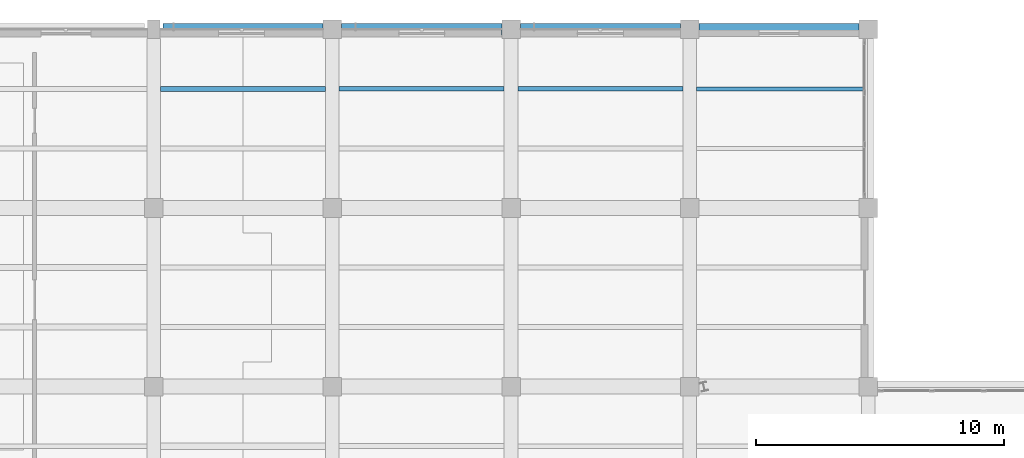
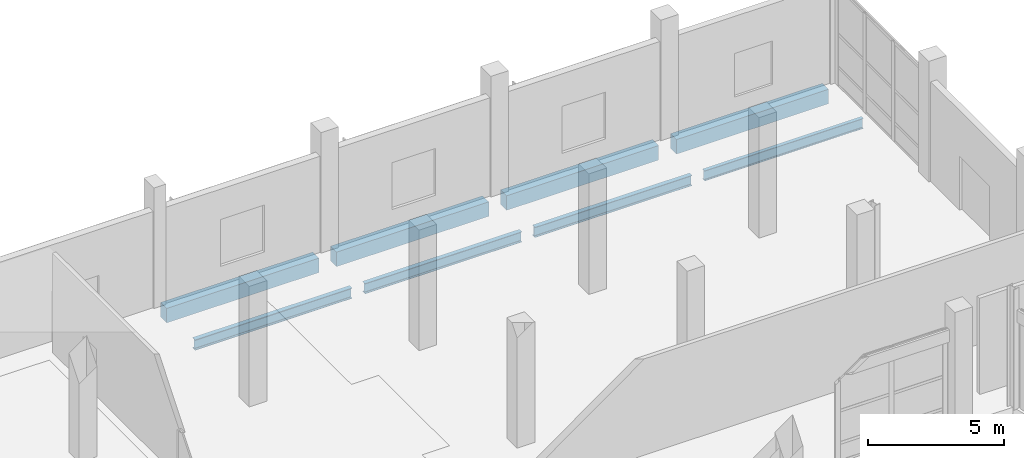
# One storey, part 61 of 137: 8 beams.
"""IFC4 building model written with IfcOpenShell, lengths in metres."""

from ifc_helpers import new_model, si_unit, direction, frame, origin, origin_2d, place, context, subcontext, project, spatial, rectangle, i_section, extrude, material, material_profile, profile_set, type_object, element, save


model = new_model("IFC4")

# Units and contexts
model_context = context("Model", 3, precision=1e-05, world=origin(), true_north=direction((0.0, 1.0)))
body_context = subcontext(model_context, "Body", "Model", "MODEL_VIEW")
ifc_project = project(units=[si_unit("LENGTHUNIT", "METRE"), si_unit("AREAUNIT", "SQUARE_METRE"), si_unit("VOLUMEUNIT", "CUBIC_METRE"), si_unit("PLANEANGLEUNIT", "RADIAN"), si_unit("MASSUNIT", "GRAM", prefix="KILO")], contexts=[model_context])

# Site, building, storey
site_placement = place(None, origin())
site = spatial("IfcSite", under=ifc_project, at=site_placement, CompositionType="ELEMENT")
building_placement = place(site_placement, origin())
building = spatial("IfcBuilding", under=site, at=building_placement, Name="Kalmorath City Hall", CompositionType="ELEMENT")
storey_placement = place(building_placement, origin())
storey = spatial("IfcBuildingStorey", under=building, at=storey_placement, Name="L00", CompositionType="ELEMENT", Elevation=0.0)

# Beams
ifc_material_1 = material(Name="Concrete C40/50", Category="concrete")
ifc_material_profile_1 = material_profile(ifc_material_1, rectangle(XDim=0.449951171875, YDim=0.64990234375, at=origin_2d()), Name="RC-BM-450X650")
ifc_profile_set_1 = profile_set([ifc_material_profile_1], Name="Concrete C40/50")
beam_type_1 = type_object("IfcBeamType", Name="Concrete spandrel beam 450x650", PredefinedType="SPANDREL", material=ifc_profile_set_1)
for number, where, z_axis, x_axis, name in (
    (1, (101.175048828125, 115.199951171875, -0.62890625), (1.0, 0.0, 0.0), (0.0, 1.0, 0.0), "L00 girder CB5 X15-16/17"),
    (2, (108.375, 115.199951171875, -0.62890625), (1.0, 0.0, 0.0), (0.0, 1.0, 0.0), "L00 girder CB5 X16-17/17"),
    (3, (115.574951171875, 115.199951171875, -0.62890625), (1.0, 0.0, 0.0), (0.0, 1.0, 0.0), "L00 girder CB5 X17-18/17"),
):
    element("IfcBeam", number, at=place(storey_placement, frame(where, z_axis=z_axis, x_axis=x_axis)), inside=storey, type_object=beam_type_1, Name=name, PredefinedType="SPANDREL", context=body_context, shape_type="SweptSolid", body=[
        extrude(rectangle(XDim=0.449951171875, YDim=0.64990234375, at=origin_2d()), origin(), (0.0, 0.0, 1.0), 6.449951171875),
    ])
beam_1_placement = place(storey_placement, frame((122.77490234375, 115.199951171875, -0.62890625), z_axis=(1.0, 0.0, 0.0), x_axis=(0.0, 1.0, 0.0)))
element("IfcBeam", 4, at=beam_1_placement, inside=storey, type_object=beam_type_1, Name="L00 girder CB5 X18-19/17", PredefinedType="SPANDREL", context=body_context, shape_type="SweptSolid", body=[
    extrude(rectangle(XDim=0.449951171875, YDim=0.64990234375, at=origin_2d()), origin(), (0.0, 0.0, 1.0), 6.4501953125),
])
ifc_material_2 = material(Name="Steel ASTM A992 Grade 50", Category="steel")
ifc_material_profile_2 = material_profile(ifc_material_2, i_section(OverallWidth=0.153076171875, OverallDepth=0.455078125, WebThickness=0.008056640625, FlangeThickness=0.01318359375, FilletRadius=0.013916015625, at=origin_2d()), Name="W18X40")
ifc_profile_set_2 = profile_set([ifc_material_profile_2], Name="Steel ASTM A992 Grade 50")
beam_type_2 = type_object("IfcBeamType", Name="Steel composite joist W18X40", PredefinedType="JOIST", material=ifc_profile_set_2)
beam_2_placement = place(storey_placement, frame((122.675048828125, 112.800048828125, -0.531494140625), z_axis=(1.0, 0.0, 0.0), x_axis=(0.0, 1.0, 0.0)))
element("IfcBeam", 5, at=beam_2_placement, inside=storey, type_object=beam_type_2, Name="L00 joist SJ4 18.16.2", PredefinedType="JOIST", context=body_context, shape_type="SweptSolid", body=[
    extrude(i_section(OverallWidth=0.153076171875, OverallDepth=0.455078125, WebThickness=0.008056640625, FlangeThickness=0.01318359375, FilletRadius=0.013916015625, at=origin_2d()), origin(), (0.0, 0.0, 1.0), 6.724853515625),
])
ifc_material_3 = material(Name="Steel ASTM A992 Grade 50", Category="steel")
ifc_material_profile_3 = material_profile(ifc_material_3, i_section(OverallWidth=0.19091796875, OverallDepth=0.45703125, WebThickness=0.009033203125, FlangeThickness=0.014404296875, FilletRadius=0.013916015625, at=origin_2d()), Name="W18X50")
ifc_profile_set_3 = profile_set([ifc_material_profile_3], Name="Steel ASTM A992 Grade 50")
beam_type_3 = type_object("IfcBeamType", Name="Steel composite joist W18X50", PredefinedType="JOIST", material=ifc_profile_set_3)
beam_3_placement = place(storey_placement, frame((115.47509765625, 112.800048828125, -0.532470703125), z_axis=(1.0, 0.0, 0.0), x_axis=(0.0, 1.0, 0.0)))
element("IfcBeam", 6, at=beam_3_placement, inside=storey, type_object=beam_type_3, Name="L00 joist SJ3 17.16.2", PredefinedType="JOIST", context=body_context, shape_type="SweptSolid", body=[
    extrude(i_section(OverallWidth=0.19091796875, OverallDepth=0.45703125, WebThickness=0.009033203125, FlangeThickness=0.014404296875, FilletRadius=0.013916015625, at=origin_2d()), origin(), (0.0, 0.0, 1.0), 6.64990234375),
])
ifc_material_4 = material(Name="Steel ASTM A992 Grade 50", Category="steel")
ifc_material_profile_4 = material_profile(ifc_material_4, i_section(OverallWidth=0.19091796875, OverallDepth=0.4599609375, WebThickness=0.010009765625, FlangeThickness=0.01611328125, FilletRadius=0.013916015625, at=origin_2d()), Name="W18X55")
ifc_profile_set_4 = profile_set([ifc_material_profile_4], Name="Steel ASTM A992 Grade 50")
beam_type_4 = type_object("IfcBeamType", Name="Steel composite joist W18X55", PredefinedType="JOIST", material=ifc_profile_set_4)
beam_4_placement = place(storey_placement, frame((108.27490234375, 112.800048828125, -0.533935546875), z_axis=(1.0, 0.0, 0.0), x_axis=(0.0, 1.0, 0.0)))
element("IfcBeam", 7, at=beam_4_placement, inside=storey, type_object=beam_type_4, Name="L00 joist SJ2 16.16.2", PredefinedType="JOIST", context=body_context, shape_type="SweptSolid", body=[
    extrude(i_section(OverallWidth=0.19091796875, OverallDepth=0.4599609375, WebThickness=0.010009765625, FlangeThickness=0.01611328125, FilletRadius=0.013916015625, at=origin_2d()), origin(), (0.0, 0.0, 1.0), 6.650146484375),
])
ifc_material_5 = material(Name="Steel ASTM A992 Grade 50", Category="steel")
ifc_material_profile_5 = material_profile(ifc_material_5, i_section(OverallWidth=0.193115234375, OverallDepth=0.466064453125, WebThickness=0.011474609375, FlangeThickness=0.01904296875, FilletRadius=0.013916015625, at=origin_2d()), Name="W18X65")
ifc_profile_set_5 = profile_set([ifc_material_profile_5], Name="Steel ASTM A992 Grade 50")
beam_type_5 = type_object("IfcBeamType", Name="Steel composite joist W18X65", PredefinedType="JOIST", material=ifc_profile_set_5)
beam_5_placement = place(storey_placement, frame((101.074951171875, 112.800048828125, -0.537109375), z_axis=(1.0, 0.0, 0.0), x_axis=(0.0, 1.0, 0.0)))
element("IfcBeam", 8, at=beam_5_placement, inside=storey, type_object=beam_type_5, Name="L00 joist SJ1 15.16.2", PredefinedType="JOIST", context=body_context, shape_type="SweptSolid", body=[
    extrude(i_section(OverallWidth=0.193115234375, OverallDepth=0.466064453125, WebThickness=0.011474609375, FlangeThickness=0.01904296875, FilletRadius=0.013916015625, at=origin_2d()), origin(), (0.0, 0.0, 1.0), 6.650146484375),
])

save(model, "model.ifc")
